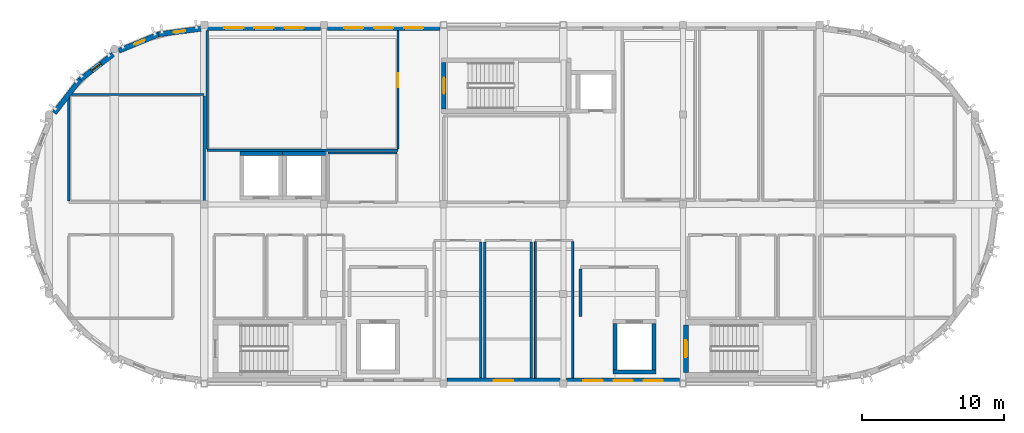
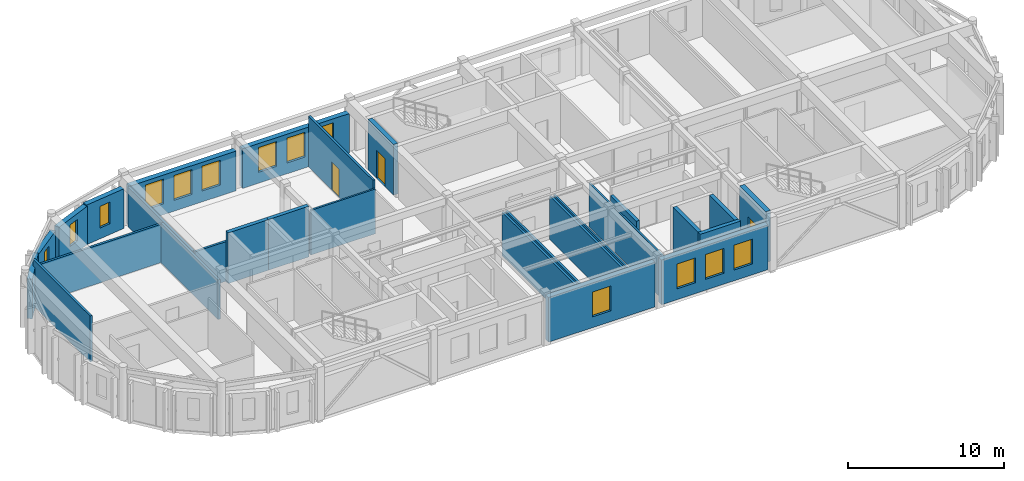
# One storey, part 4 of 11: 28 walls, 13 windows, 3 doors, 16 openings.
"""IFC4 building model written with IfcOpenShell, lengths in metres."""

from ifc_helpers import new_model, si_unit, direction, frame, frame_2d, origin, place, context, subcontext, project, spatial, rectangle, extrude, material, layer, layer_set, type_object, element, fill, save


model = new_model("IFC4")

# Units and contexts
model_context = context("Model", 3, precision=1e-05, world=origin(), true_north=direction((0.0, 1.0)))
body_context = subcontext(model_context, "Body", "Model", "MODEL_VIEW")
ifc_project = project(units=[si_unit("LENGTHUNIT", "METRE"), si_unit("AREAUNIT", "SQUARE_METRE"), si_unit("VOLUMEUNIT", "CUBIC_METRE"), si_unit("PLANEANGLEUNIT", "RADIAN"), si_unit("MASSUNIT", "GRAM", prefix="KILO")], contexts=[model_context])

# Site, building, storey
site_placement = place(None, origin())
site = spatial("IfcSite", under=ifc_project, at=site_placement, CompositionType="ELEMENT")
building_placement = place(site_placement, origin())
building = spatial("IfcBuilding", under=site, at=building_placement, Name="Tarnavel Promenade Courthouse", CompositionType="ELEMENT")
storey_placement = place(building_placement, frame((0.0, 0.0, 31.199951171875)))
storey = spatial("IfcBuildingStorey", under=building, at=storey_placement, Name="L08", CompositionType="ELEMENT", Elevation=31.199951171875)

# Walls
ifc_material_1 = material(Name="Acoustic Insulated Gypsum Stud Partition", Category="gypsum")
ifc_layer_1 = layer(ifc_material_1, 0.1650390625)
ifc_layer_set_1 = layer_set([ifc_layer_1], Name="Acoustic Insulated Gypsum Stud Partition")
wall_type_1 = type_object("IfcWallType", Name="Acoustic Insulated Gypsum Stud Partition WL-CHM-165 (165 mm)", PredefinedType="PARTITIONING", material=ifc_layer_set_1)
wall_1_placement = place(storey_placement, frame((72.39990234375, 95.60009765625, 0.0), z_axis=(0.0, 0.0, 1.0), x_axis=(-1.0, 0.0, 0.0)))
element("IfcWall", 1, at=wall_1_placement, inside=storey, type_object=wall_type_1, Name="L08 Chief Justice's Chambers Suite Partition 0944", PredefinedType="PARTITIONING", context=body_context, shape_type="SweptSolid", body=[
    extrude(rectangle(XDim=13.39990234375, YDim=0.1650390625, at=frame_2d((6.699951171875, 0.0))), origin(), (0.0, 0.0, 1.0), 3.110107421875),
])
wall_2_placement = place(storey_placement, frame((59.0, 95.6923828125, 0.0), z_axis=(0.0, 0.0, 1.0), x_axis=(0.0, 1.0, 0.0)))
element("IfcWall", 2, at=wall_2_placement, inside=storey, type_object=wall_type_1, Name="L08 Chief Justice's Chambers Suite Partition 0945", PredefinedType="PARTITIONING", context=body_context, shape_type="SweptSolid", body=[
    extrude(rectangle(XDim=8.3037109375, YDim=0.1650390625, at=frame_2d((4.15185546875, 0.0))), origin(), (0.0, 0.0, 1.0), 3.110107421875),
])

# Wall, opening, door
wall_3_placement = place(storey_placement, frame((72.39990234375, 103.99609375, 0.0), z_axis=(0.0, 0.0, 1.0), x_axis=(0.0, -1.0, 0.0)))
wall_3 = element("IfcWall", 3, at=wall_3_placement, inside=storey, type_object=wall_type_1, Name="L08 Chief Justice's Chambers Suite Partition 0946", PredefinedType="PARTITIONING", context=body_context, shape_type="SweptSolid", body=[
    extrude(rectangle(XDim=8.3037109375, YDim=0.1650390625, at=frame_2d((4.15185546875, 0.0))), origin(), (0.0, 0.0, 1.0), 3.965087890625),
])
opening_1_placement = place(wall_3_placement, frame((2.99951171875, 0.0, 0.0)))
opening_1 = element("IfcOpeningElement", 4, at=opening_1_placement, cuts=wall_3, Name="Opening ID-04", PredefinedType="OPENING", context=body_context, shape_type="SweptSolid", body=[
    extrude(rectangle(XDim=0.97998046875, YDim=2.199951171875, at=frame_2d((0.489990234375, 1.10009765625))), frame((0.0, 0.092529296875, 0.0), z_axis=(0.0, -1.0, 0.0), x_axis=(1.0, 0.0, 0.0)), (0.0, 0.0, 1.0), 0.18505859375),
])
ifc_material_2 = material(Name="Solid Oak Judges Chambers Door")
door_type_1 = type_object("IfcDoorType", Name="Solid Oak Judges Chambers Door (DR-CHM-0980x2200)", OperationType="NOTDEFINED", PredefinedType="DOOR", material=ifc_material_2)
door_1_placement = place(opening_1_placement, origin())
door_1 = element("IfcDoor", 5, at=door_1_placement, inside=storey, type_object=door_type_1, Name="L08 Chief Justice's Chambers Suite Door 0269", OperationType="SINGLE_SWING_LEFT", OverallHeight=2.199951171875, OverallWidth=0.97998046875, PredefinedType="DOOR", context=body_context, shape_type="SweptSolid", body=[
    extrude(rectangle(XDim=0.97998046875, YDim=2.199951171875, at=frame_2d((0.489990234375, 1.10009765625))), frame((0.0, 0.02490234375, 0.0), z_axis=(0.0, -1.0, 0.0), x_axis=(1.0, 0.0, 0.0)), (0.0, 0.0, 1.0), 0.050048828125),
])
fill(opening_1, door_1)

# Walls
for number, where, z_axis, x_axis, name in (
    (6, (78.2080078125, 89.16748046875, 0.0), (0.0, 0.0, 1.0), (0.0, -1.0, 0.0), "L08 Senior Magistracy Chambers West Partition 0966"),
    (7, (78.488037109375, 79.60400390625, 0.0), (0.0, 0.0, 1.0), (0.0, 1.0, 0.0), "L08 Senior Magistracy Chambers East Partition 0968"),
    (8, (81.756103515625, 89.16748046875, 0.0), (0.0, 0.0, 1.0), (0.0, -1.0, 0.0), "L08 Senior Magistracy Chambers East Partition 0969"),
):
    element("IfcWall", number, at=place(storey_placement, frame(where, z_axis=z_axis, x_axis=x_axis)), inside=storey, type_object=wall_type_1, Name=name, PredefinedType="PARTITIONING", context=body_context, shape_type="SweptSolid", body=[
        extrude(rectangle(XDim=9.5634765625, YDim=0.1650390625, at=frame_2d((4.78173828125, 0.0))), origin(), (0.0, 0.0, 1.0), 3.41015625),
    ])
wall_4_placement = place(storey_placement, frame((49.300048828125, 99.5, 0.0), z_axis=(0.0, 0.0, 1.0), x_axis=(1.0, 0.0, 0.0)))
element("IfcWall", 9, at=wall_4_placement, inside=storey, type_object=wall_type_1, Name="L08 L08 West Drum Rotunda Chambers North Partition 0973", PredefinedType="PARTITIONING", context=body_context, shape_type="SweptSolid", body=[
    extrude(rectangle(XDim=9.5, YDim=0.1650390625, at=frame_2d((4.75, 0.0))), origin(), (0.0, 0.0, 1.0), 3.010009765625),
])
wall_5_placement = place(storey_placement, frame((49.300048828125, 92.04248046875, 0.0), z_axis=(0.0, 0.0, 1.0), x_axis=(0.0, 1.0, 0.0)))
element("IfcWall", 10, at=wall_5_placement, inside=storey, type_object=wall_type_1, Name="L08 L08 West Drum Rotunda Chambers North Partition 0975", PredefinedType="PARTITIONING", context=body_context, shape_type="SweptSolid", body=[
    extrude(rectangle(XDim=7.364990234375, YDim=0.1650390625, at=frame_2d((3.6826171875, 0.0))), origin(), (0.0, 0.0, 1.0), 3.610107421875),
])
wall_6_placement = place(storey_placement, frame((58.800048828125, 99.407470703125, 0.0), z_axis=(0.0, 0.0, 1.0), x_axis=(0.0, -1.0, 0.0)))
element("IfcWall", 11, at=wall_6_placement, inside=storey, type_object=wall_type_1, Name="L08 L08 West Drum Rotunda Chambers North Partition 0976", PredefinedType="PARTITIONING", context=body_context, shape_type="SweptSolid", body=[
    extrude(rectangle(XDim=7.364990234375, YDim=0.1650390625, at=frame_2d((3.6826171875, 0.0))), origin(), (0.0, 0.0, 1.0), 3.110107421875),
])
ifc_material_3 = material(Name="Concrete C40/50", Category="concrete")
ifc_layer_2 = layer(ifc_material_3, 0.280029296875)
ifc_layer_set_2 = layer_set([ifc_layer_2], Name="Concrete C40/50")
wall_type_2 = type_object("IfcWallType", Name="Concrete C40/50 WL-SHR-280 (280 mm)", PredefinedType="SHEAR", material=ifc_layer_set_2)
wall_7_placement = place(storey_placement, frame((90.5, 80.0400390625, 0.0), z_axis=(0.0, 0.0, 1.0), x_axis=(-1.0, 0.0, 0.0)))
element("IfcWall", 12, at=wall_7_placement, inside=storey, type_object=wall_type_2, Name="L08 L-FF2 Lift Shaft South Wall", PredefinedType="SHEAR", context=body_context, shape_type="SweptSolid", body=[
    extrude(rectangle(XDim=3.0, YDim=0.280029296875, at=frame_2d((1.5, 0.0))), origin(), (0.0, 0.0, 1.0), 3.97998046875),
])
for number, where, z_axis, x_axis, name in (
    (13, (87.639892578125, 80.179931640625, 0.0), (0.0, 0.0, 1.0), (0.0, 1.0, 0.0), "L08 L-FF2 Lift Shaft West Wall"),
    (14, (90.360107421875, 83.419921875, 0.0), (0.0, 0.0, 1.0), (0.0, -1.0, 0.0), "L08 L-FF2 Lift Shaft East Wall"),
):
    element("IfcWall", number, at=place(storey_placement, frame(where, z_axis=z_axis, x_axis=x_axis)), inside=storey, type_object=wall_type_2, Name=name, PredefinedType="SHEAR", context=body_context, shape_type="SweptSolid", body=[
        extrude(rectangle(XDim=3.239990234375, YDim=0.280029296875, at=frame_2d((1.6201171875, 0.0))), origin(), (0.0, 0.0, 1.0), 3.97998046875),
    ])
for number, where, z_axis, x_axis, name in (
    (15, (61.300048828125, 95.360107421875, 0.0), (0.0, 0.0, 1.0), (1.0, 0.0, 0.0), "L08 L-PUB1 Lift Shaft North Wall"),
    (16, (64.300048828125, 95.360107421875, 0.0), (0.0, 0.0, 1.0), (1.0, 0.0, 0.0), "L08 L-PUB2 Lift Shaft North Wall"),
):
    element("IfcWall", number, at=place(storey_placement, frame(where, z_axis=z_axis, x_axis=x_axis)), inside=storey, type_object=wall_type_2, Name=name, PredefinedType="SHEAR", context=body_context, shape_type="SweptSolid", body=[
        extrude(rectangle(XDim=3.0, YDim=0.280029296875, at=frame_2d((1.5, 0.0))), origin(), (0.0, 0.0, 1.0), 3.97998046875),
    ])

# Wall, opening, door
ifc_layer_3 = layer(ifc_material_3, 0.320068359375)
ifc_layer_set_3 = layer_set([ifc_layer_3], Name="Concrete C40/50")
wall_type_3 = type_object("IfcWallType", Name="Concrete C40/50 WL-SHR-320 (320 mm)", PredefinedType="SHEAR", material=ifc_layer_set_3)
wall_8_placement = place(storey_placement, frame((75.6201171875, 98.47998046875, 0.0), z_axis=(0.0, 0.0, 1.0), x_axis=(0.0, 1.0, 0.0)))
wall_8 = element("IfcWall", 17, at=wall_8_placement, inside=storey, type_object=wall_type_3, Name="L08 ST-03 Shear Core West Landing Wall", PredefinedType="SHEAR", context=body_context, shape_type="SweptSolid", body=[
    extrude(rectangle(XDim=3.280029296875, YDim=0.320068359375, at=frame_2d((1.64013671875, 0.0))), origin(), (0.0, 0.0, 1.0), 3.97998046875),
])
opening_2_placement = place(wall_8_placement, frame((1.06494140625, 0.0, 0.0)))
opening_2 = element("IfcOpeningElement", 18, at=opening_2_placement, cuts=wall_8, Name="Opening FD-01", PredefinedType="OPENING", context=body_context, shape_type="SweptSolid", body=[
    extrude(rectangle(XDim=1.14990234375, YDim=2.199951171875, at=frame_2d((0.574951171875, 1.10009765625))), frame((0.0, 0.169921875, 0.0), z_axis=(0.0, -1.0, 0.0), x_axis=(1.0, 0.0, 0.0)), (0.0, 0.0, 1.0), 0.340087890625),
])
ifc_material_4 = material(Name="Steel Fire-Rated Stair Core Door", Category="steel")
door_type_2 = type_object("IfcDoorType", Name="Steel Fire-Rated Stair Core Door (DR-ST-1150x2200)", OperationType="NOTDEFINED", PredefinedType="DOOR", material=ifc_material_4)
door_2_placement = place(opening_2_placement, origin())
door_2 = element("IfcDoor", 19, at=door_2_placement, inside=storey, type_object=door_type_2, Name="L08 ST-03 Protected Exit Stair Door", OperationType="SINGLE_SWING_RIGHT", OverallHeight=2.199951171875, OverallWidth=1.14990234375, PredefinedType="DOOR", context=body_context, shape_type="SweptSolid", body=[
    extrude(rectangle(XDim=1.14990234375, YDim=2.199951171875, at=frame_2d((0.574951171875, 1.10009765625))), frame((0.0, 0.02490234375, 0.0), z_axis=(0.0, -1.0, 0.0), x_axis=(1.0, 0.0, 0.0)), (0.0, 0.0, 1.0), 0.050048828125),
])
fill(opening_2, door_2)

ifc_layer_4 = layer(ifc_material_3, 0.360107421875)
ifc_layer_set_4 = layer_set([ifc_layer_4], Name="Concrete C40/50")
wall_type_4 = type_object("IfcWallType", Name="Concrete C40/50 WL-SHR-360 (360 mm)", PredefinedType="SHEAR", material=ifc_layer_set_4)
wall_9_placement = place(storey_placement, frame((92.60009765625, 79.97998046875, 0.0), z_axis=(0.0, 0.0, 1.0), x_axis=(0.0, 1.0, 0.0)))
wall_9 = element("IfcWall", 20, at=wall_9_placement, inside=storey, type_object=wall_type_4, Name="L08 ST-02 Shear Core West Landing Wall", PredefinedType="SHEAR", context=body_context, shape_type="SweptSolid", body=[
    extrude(rectangle(XDim=3.360107421875, YDim=0.360107421875, at=frame_2d((1.68017578125, 0.0))), origin(), (0.0, 0.0, 1.0), 3.97998046875),
])
opening_3_placement = place(wall_9_placement, frame((1.080078125, 0.0, 0.0)))
opening_3 = element("IfcOpeningElement", 21, at=opening_3_placement, cuts=wall_9, Name="Opening FD-02", PredefinedType="OPENING", context=body_context, shape_type="SweptSolid", body=[
    extrude(rectangle(XDim=1.199951171875, YDim=2.199951171875, at=frame_2d((0.60009765625, 1.10009765625))), frame((0.0, 0.18994140625, 0.0), z_axis=(0.0, -1.0, 0.0), x_axis=(1.0, 0.0, 0.0)), (0.0, 0.0, 1.0), 0.380126953125),
])
ifc_material_5 = material(Name="Steel Fire-Rated Firefighting Stair Door", Category="steel")
door_type_3 = type_object("IfcDoorType", Name="Steel Fire-Rated Firefighting Stair Door (DR-ST-1200x2200)", OperationType="NOTDEFINED", PredefinedType="DOOR", material=ifc_material_5)
door_3_placement = place(opening_3_placement, origin())
door_3 = element("IfcDoor", 22, at=door_3_placement, inside=storey, type_object=door_type_3, Name="L08 ST-02 Protected Exit Stair Door", OperationType="SINGLE_SWING_RIGHT", OverallHeight=2.199951171875, OverallWidth=1.199951171875, PredefinedType="DOOR", context=body_context, shape_type="SweptSolid", body=[
    extrude(rectangle(XDim=1.199951171875, YDim=2.199951171875, at=frame_2d((0.60009765625, 1.10009765625))), frame((0.0, 0.02490234375, 0.0), z_axis=(0.0, -1.0, 0.0), x_axis=(1.0, 0.0, 0.0)), (0.0, 0.0, 1.0), 0.050048828125),
])
fill(opening_3, door_3)

# Wall
ifc_material_6 = material(Name="Concrete Masonry Fire Compartment Wall", Category="masonry")
ifc_layer_5 = layer(ifc_material_6, 0.22998046875)
ifc_layer_set_5 = layer_set([ifc_layer_5], Name="Concrete Masonry Fire Compartment Wall")
wall_type_5 = type_object("IfcWallType", Name="Concrete Masonry Fire Compartment Wall WL-CMP-230 (230 mm)", PredefinedType="STANDARD", material=ifc_layer_set_5)
wall_10_placement = place(storey_placement, frame((85.199951171875, 83.925048828125, 0.0), z_axis=(0.0, 0.0, 1.0), x_axis=(0.0, 1.0, 0.0)))
element("IfcWall", 23, at=wall_10_placement, inside=storey, type_object=wall_type_5, Name="L08 Firefighting Lobby L-FF2 Partition 0918", PredefinedType="STANDARD", context=body_context, shape_type="SweptSolid", body=[
    extrude(rectangle(XDim=3.349853515625, YDim=0.22998046875, at=frame_2d((1.6748046875, 0.0))), origin(), (0.0, 0.0, 1.0), 3.41015625),
])

# Wall, openings, windows
ifc_material_7 = material(Name="Cream Brick Insulated Cavity Facade Assembly", Category="masonry")
ifc_layer_6 = layer(ifc_material_7, 0.3798828125)
ifc_layer_set_6 = layer_set([ifc_layer_6], Name="Cream Brick Insulated Cavity Facade Assembly")
wall_type_6 = type_object("IfcWallType", Name="Cream Brick Insulated Cavity Facade Assembly WL-EXT-380 (380 mm)", PredefinedType="STANDARD", material=ifc_layer_set_6)
wall_11_placement = place(storey_placement, frame((59.037109375, 104.179931640625, 0.0), z_axis=(0.0, 0.0, 1.0), x_axis=(1.0, 0.0, 0.0)))
wall_11 = element("IfcWall", 24, at=wall_11_placement, inside=storey, type_object=wall_type_6, Name="L08 Bar North Limestone Facade 0204", PredefinedType="STANDARD", context=body_context, shape_type="SweptSolid", body=[
    extrude(rectangle(XDim=7.9208984375, YDim=0.3798828125, at=frame_2d((3.96044921875, 0.0))), origin(), (0.0, 0.0, 1.0), 3.110107421875),
])
opening_4_placement = place(wall_11_placement, frame((1.1748046875, 0.0, 0.85009765625)))
opening_4 = element("IfcOpeningElement", 25, at=opening_4_placement, cuts=wall_11, Name="Opening W-04", PredefinedType="OPENING", context=body_context, shape_type="SweptSolid", body=[
    extrude(rectangle(XDim=1.35009765625, YDim=1.949951171875, at=frame_2d((0.675048828125, 0.97509765625))), frame((0.0, 0.199951171875, 0.0), z_axis=(0.0, -1.0, 0.0), x_axis=(1.0, 0.0, 0.0)), (0.0, 0.0, 1.0), 0.39990234375),
])
opening_5_placement = place(wall_11_placement, frame((3.2880859375, 0.0, 0.85009765625)))
opening_5 = element("IfcOpeningElement", 26, at=opening_5_placement, cuts=wall_11, Name="Opening W-04", PredefinedType="OPENING", context=body_context, shape_type="SweptSolid", body=[
    extrude(rectangle(XDim=1.35009765625, YDim=1.949951171875, at=frame_2d((0.675048828125, 0.97509765625))), frame((0.0, 0.199951171875, 0.0), z_axis=(0.0, -1.0, 0.0), x_axis=(1.0, 0.0, 0.0)), (0.0, 0.0, 1.0), 0.39990234375),
])
opening_6_placement = place(wall_11_placement, frame((5.4013671875, 0.0, 0.85009765625)))
opening_6 = element("IfcOpeningElement", 27, at=opening_6_placement, cuts=wall_11, Name="Opening W-04", PredefinedType="OPENING", context=body_context, shape_type="SweptSolid", body=[
    extrude(rectangle(XDim=1.35009765625, YDim=1.949951171875, at=frame_2d((0.675048828125, 0.97509765625))), frame((0.0, 0.199951171875, 0.0), z_axis=(0.0, -1.0, 0.0), x_axis=(1.0, 0.0, 0.0)), (0.0, 0.0, 1.0), 0.39990234375),
])
ifc_material_8 = material(Name="Triple Low-E Glazed Bronze-Clad Window Assembly")
window_type_1 = type_object("IfcWindowType", Name="Triple-Glazed Bronze-Clad Timber-Aluminium WIN-CHM-1350x1950", PartitioningType="SINGLE_PANEL", PredefinedType="WINDOW", material=ifc_material_8)
window_1_placement = place(opening_4_placement, origin())
window_1 = element("IfcWindow", 28, at=window_1_placement, inside=storey, type_object=window_type_1, Name="L08 Exterior Window 0166", OverallHeight=1.949951171875, OverallWidth=1.35009765625, PartitioningType="SINGLE_PANEL", PredefinedType="WINDOW", context=body_context, shape_type="SweptSolid", body=[
    extrude(rectangle(XDim=1.35009765625, YDim=1.949951171875, at=frame_2d((0.675048828125, 0.97509765625))), frame((0.0, 0.030029296875, 0.0), z_axis=(0.0, -1.0, 0.0), x_axis=(1.0, 0.0, 0.0)), (0.0, 0.0, 1.0), 0.06005859375),
])
fill(opening_4, window_1)
window_2_placement = place(opening_5_placement, origin())
window_2 = element("IfcWindow", 29, at=window_2_placement, inside=storey, type_object=window_type_1, Name="L08 Exterior Window 0167", OverallHeight=1.949951171875, OverallWidth=1.35009765625, PartitioningType="SINGLE_PANEL", PredefinedType="WINDOW", context=body_context, shape_type="SweptSolid", body=[
    extrude(rectangle(XDim=1.35009765625, YDim=1.949951171875, at=frame_2d((0.675048828125, 0.97509765625))), frame((0.0, 0.030029296875, 0.0), z_axis=(0.0, -1.0, 0.0), x_axis=(1.0, 0.0, 0.0)), (0.0, 0.0, 1.0), 0.06005859375),
])
fill(opening_5, window_2)
window_3_placement = place(opening_6_placement, origin())
window_3 = element("IfcWindow", 30, at=window_3_placement, inside=storey, type_object=window_type_1, Name="L08 Exterior Window 0168", OverallHeight=1.949951171875, OverallWidth=1.35009765625, PartitioningType="SINGLE_PANEL", PredefinedType="WINDOW", context=body_context, shape_type="SweptSolid", body=[
    extrude(rectangle(XDim=1.35009765625, YDim=1.949951171875, at=frame_2d((0.675048828125, 0.97509765625))), frame((0.0, 0.030029296875, 0.0), z_axis=(0.0, -1.0, 0.0), x_axis=(1.0, 0.0, 0.0)), (0.0, 0.0, 1.0), 0.06005859375),
])
fill(opening_6, window_3)

wall_12_placement = place(storey_placement, frame((67.44189453125, 104.179931640625, 0.0), z_axis=(0.0, 0.0, 1.0), x_axis=(1.0, 0.0, 0.0)))
wall_12 = element("IfcWall", 31, at=wall_12_placement, inside=storey, type_object=wall_type_6, Name="L08 Bar North Limestone Facade 0205", PredefinedType="STANDARD", context=body_context, shape_type="SweptSolid", body=[
    extrude(rectangle(XDim=7.916015625, YDim=0.3798828125, at=frame_2d((3.9580078125, 0.0))), origin(), (0.0, 0.0, 1.0), 3.110107421875),
])
opening_7_placement = place(wall_12_placement, frame((1.169677734375, 0.0, 0.85009765625)))
opening_7 = element("IfcOpeningElement", 32, at=opening_7_placement, cuts=wall_12, Name="Opening W-04", PredefinedType="OPENING", context=body_context, shape_type="SweptSolid", body=[
    extrude(rectangle(XDim=1.35009765625, YDim=1.949951171875, at=frame_2d((0.675048828125, 0.97509765625))), frame((0.0, 0.199951171875, 0.0), z_axis=(0.0, -1.0, 0.0), x_axis=(1.0, 0.0, 0.0)), (0.0, 0.0, 1.0), 0.39990234375),
])
opening_8_placement = place(wall_12_placement, frame((3.282958984375, 0.0, 0.85009765625)))
opening_8 = element("IfcOpeningElement", 33, at=opening_8_placement, cuts=wall_12, Name="Opening W-04", PredefinedType="OPENING", context=body_context, shape_type="SweptSolid", body=[
    extrude(rectangle(XDim=1.35009765625, YDim=1.949951171875, at=frame_2d((0.675048828125, 0.97509765625))), frame((0.0, 0.199951171875, 0.0), z_axis=(0.0, -1.0, 0.0), x_axis=(1.0, 0.0, 0.0)), (0.0, 0.0, 1.0), 0.39990234375),
])
opening_9_placement = place(wall_12_placement, frame((5.396240234375, 0.0, 0.85009765625)))
opening_9 = element("IfcOpeningElement", 34, at=opening_9_placement, cuts=wall_12, Name="Opening W-04", PredefinedType="OPENING", context=body_context, shape_type="SweptSolid", body=[
    extrude(rectangle(XDim=1.35009765625, YDim=1.949951171875, at=frame_2d((0.675048828125, 0.97509765625))), frame((0.0, 0.199951171875, 0.0), z_axis=(0.0, -1.0, 0.0), x_axis=(1.0, 0.0, 0.0)), (0.0, 0.0, 1.0), 0.39990234375),
])
window_4_placement = place(opening_7_placement, origin())
window_4 = element("IfcWindow", 35, at=window_4_placement, inside=storey, type_object=window_type_1, Name="L08 Exterior Window 0169", OverallHeight=1.949951171875, OverallWidth=1.35009765625, PartitioningType="SINGLE_PANEL", PredefinedType="WINDOW", context=body_context, shape_type="SweptSolid", body=[
    extrude(rectangle(XDim=1.35009765625, YDim=1.949951171875, at=frame_2d((0.675048828125, 0.97509765625))), frame((0.0, 0.030029296875, 0.0), z_axis=(0.0, -1.0, 0.0), x_axis=(1.0, 0.0, 0.0)), (0.0, 0.0, 1.0), 0.06005859375),
])
fill(opening_7, window_4)
window_5_placement = place(opening_8_placement, origin())
window_5 = element("IfcWindow", 36, at=window_5_placement, inside=storey, type_object=window_type_1, Name="L08 Exterior Window 0170", OverallHeight=1.949951171875, OverallWidth=1.35009765625, PartitioningType="SINGLE_PANEL", PredefinedType="WINDOW", context=body_context, shape_type="SweptSolid", body=[
    extrude(rectangle(XDim=1.35009765625, YDim=1.949951171875, at=frame_2d((0.675048828125, 0.97509765625))), frame((0.0, 0.030029296875, 0.0), z_axis=(0.0, -1.0, 0.0), x_axis=(1.0, 0.0, 0.0)), (0.0, 0.0, 1.0), 0.06005859375),
])
fill(opening_8, window_5)
window_6_placement = place(opening_9_placement, origin())
window_6 = element("IfcWindow", 37, at=window_6_placement, inside=storey, type_object=window_type_1, Name="L08 Exterior Window 0171", OverallHeight=1.949951171875, OverallWidth=1.35009765625, PartitioningType="SINGLE_PANEL", PredefinedType="WINDOW", context=body_context, shape_type="SweptSolid", body=[
    extrude(rectangle(XDim=1.35009765625, YDim=1.949951171875, at=frame_2d((0.675048828125, 0.97509765625))), frame((0.0, 0.030029296875, 0.0), z_axis=(0.0, -1.0, 0.0), x_axis=(1.0, 0.0, 0.0)), (0.0, 0.0, 1.0), 0.06005859375),
])
fill(opening_9, window_6)

# Wall, opening, window
wall_13_placement = place(storey_placement, frame((83.758056640625, 79.419921875, 0.0), z_axis=(0.0, 0.0, 1.0), x_axis=(-1.0, 0.0, 0.0)))
wall_13 = element("IfcWall", 38, at=wall_13_placement, inside=storey, type_object=wall_type_6, Name="L08 Bar South Limestone Facade 0211", PredefinedType="STANDARD", context=body_context, shape_type="SweptSolid", body=[
    extrude(rectangle(XDim=7.916015625, YDim=0.3798828125, at=frame_2d((3.9580078125, 0.0))), origin(), (0.0, 0.0, 1.0), 3.510009765625),
])
opening_10_placement = place(wall_13_placement, frame((3.282958984375, 0.0, 0.85009765625)))
opening_10 = element("IfcOpeningElement", 39, at=opening_10_placement, cuts=wall_13, Name="Opening W-04", PredefinedType="OPENING", context=body_context, shape_type="SweptSolid", body=[
    extrude(rectangle(XDim=1.35009765625, YDim=1.949951171875, at=frame_2d((0.675048828125, 0.97509765625))), frame((0.0, 0.199951171875, 0.0), z_axis=(0.0, -1.0, 0.0), x_axis=(1.0, 0.0, 0.0)), (0.0, 0.0, 1.0), 0.39990234375),
])
window_7_placement = place(opening_10_placement, origin())
window_7 = element("IfcWindow", 40, at=window_7_placement, inside=storey, type_object=window_type_1, Name="L08 Exterior Window 0179", OverallHeight=1.949951171875, OverallWidth=1.35009765625, PartitioningType="SINGLE_PANEL", PredefinedType="WINDOW", context=body_context, shape_type="SweptSolid", body=[
    extrude(rectangle(XDim=1.35009765625, YDim=1.949951171875, at=frame_2d((0.675048828125, 0.97509765625))), frame((0.0, 0.030029296875, 0.0), z_axis=(0.0, -1.0, 0.0), x_axis=(1.0, 0.0, 0.0)), (0.0, 0.0, 1.0), 0.06005859375),
])
fill(opening_10, window_7)

# Wall, openings, windows
wall_14_placement = place(storey_placement, frame((92.157958984375, 79.419921875, 0.0), z_axis=(0.0, 0.0, 1.0), x_axis=(-1.0, 0.0, 0.0)))
wall_14 = element("IfcWall", 41, at=wall_14_placement, inside=storey, type_object=wall_type_6, Name="L08 Bar South Limestone Facade 0212", PredefinedType="STANDARD", context=body_context, shape_type="SweptSolid", body=[
    extrude(rectangle(XDim=7.916015625, YDim=0.3798828125, at=frame_2d((3.9580078125, 0.0))), origin(), (0.0, 0.0, 1.0), 3.510009765625),
])
opening_11_placement = place(wall_14_placement, frame((1.169677734375, 0.0, 0.85009765625)))
opening_11 = element("IfcOpeningElement", 42, at=opening_11_placement, cuts=wall_14, Name="Opening W-04", PredefinedType="OPENING", context=body_context, shape_type="SweptSolid", body=[
    extrude(rectangle(XDim=1.35009765625, YDim=1.949951171875, at=frame_2d((0.675048828125, 0.97509765625))), frame((0.0, 0.199951171875, 0.0), z_axis=(0.0, -1.0, 0.0), x_axis=(1.0, 0.0, 0.0)), (0.0, 0.0, 1.0), 0.39990234375),
])
opening_12_placement = place(wall_14_placement, frame((3.282958984375, 0.0, 0.85009765625)))
opening_12 = element("IfcOpeningElement", 43, at=opening_12_placement, cuts=wall_14, Name="Opening W-04", PredefinedType="OPENING", context=body_context, shape_type="SweptSolid", body=[
    extrude(rectangle(XDim=1.35009765625, YDim=1.949951171875, at=frame_2d((0.675048828125, 0.97509765625))), frame((0.0, 0.199951171875, 0.0), z_axis=(0.0, -1.0, 0.0), x_axis=(1.0, 0.0, 0.0)), (0.0, 0.0, 1.0), 0.39990234375),
])
opening_13_placement = place(wall_14_placement, frame((5.396240234375, 0.0, 0.85009765625)))
opening_13 = element("IfcOpeningElement", 44, at=opening_13_placement, cuts=wall_14, Name="Opening W-04", PredefinedType="OPENING", context=body_context, shape_type="SweptSolid", body=[
    extrude(rectangle(XDim=1.35009765625, YDim=1.949951171875, at=frame_2d((0.675048828125, 0.97509765625))), frame((0.0, 0.199951171875, 0.0), z_axis=(0.0, -1.0, 0.0), x_axis=(1.0, 0.0, 0.0)), (0.0, 0.0, 1.0), 0.39990234375),
])
window_8_placement = place(opening_11_placement, origin())
window_8 = element("IfcWindow", 45, at=window_8_placement, inside=storey, type_object=window_type_1, Name="L08 Exterior Window 0180", OverallHeight=1.949951171875, OverallWidth=1.35009765625, PartitioningType="SINGLE_PANEL", PredefinedType="WINDOW", context=body_context, shape_type="SweptSolid", body=[
    extrude(rectangle(XDim=1.35009765625, YDim=1.949951171875, at=frame_2d((0.675048828125, 0.97509765625))), frame((0.0, 0.030029296875, 0.0), z_axis=(0.0, -1.0, 0.0), x_axis=(1.0, 0.0, 0.0)), (0.0, 0.0, 1.0), 0.06005859375),
])
fill(opening_11, window_8)
window_9_placement = place(opening_12_placement, origin())
window_9 = element("IfcWindow", 46, at=window_9_placement, inside=storey, type_object=window_type_1, Name="L08 Exterior Window 0181", OverallHeight=1.949951171875, OverallWidth=1.35009765625, PartitioningType="SINGLE_PANEL", PredefinedType="WINDOW", context=body_context, shape_type="SweptSolid", body=[
    extrude(rectangle(XDim=1.35009765625, YDim=1.949951171875, at=frame_2d((0.675048828125, 0.97509765625))), frame((0.0, 0.030029296875, 0.0), z_axis=(0.0, -1.0, 0.0), x_axis=(1.0, 0.0, 0.0)), (0.0, 0.0, 1.0), 0.06005859375),
])
fill(opening_12, window_9)
window_10_placement = place(opening_13_placement, origin())
window_10 = element("IfcWindow", 47, at=window_10_placement, inside=storey, type_object=window_type_1, Name="L08 Exterior Window 0182", OverallHeight=1.949951171875, OverallWidth=1.35009765625, PartitioningType="SINGLE_PANEL", PredefinedType="WINDOW", context=body_context, shape_type="SweptSolid", body=[
    extrude(rectangle(XDim=1.35009765625, YDim=1.949951171875, at=frame_2d((0.675048828125, 0.97509765625))), frame((0.0, 0.030029296875, 0.0), z_axis=(0.0, -1.0, 0.0), x_axis=(1.0, 0.0, 0.0)), (0.0, 0.0, 1.0), 0.06005859375),
])
fill(opening_13, window_10)

# Walls
ifc_material_9 = material(Name="Metal-Stud Acoustic Gypsum Partition", Category="gypsum")
ifc_layer_7 = layer(ifc_material_9, 0.135009765625)
ifc_layer_set_7 = layer_set([ifc_layer_7], Name="Metal-Stud Acoustic Gypsum Partition")
wall_type_7 = type_object("IfcWallType", Name="Metal-Stud Acoustic Gypsum Partition WL-OFF-135 (135 mm)", PredefinedType="PARTITIONING", material=ifc_layer_set_7)
wall_15_placement = place(storey_placement, frame((67.5, 95.39990234375, 0.0), z_axis=(0.0, 0.0, 1.0), x_axis=(1.0, 0.0, 0.0)))
element("IfcWall", 48, at=wall_15_placement, inside=storey, type_object=wall_type_7, Name="L08 L08 Judicial Case Clerks' Room Partition 0947", PredefinedType="PARTITIONING", context=body_context, shape_type="SweptSolid", body=[
    extrude(rectangle(XDim=4.800048828125, YDim=0.135009765625, at=frame_2d((2.39990234375, 0.0))), origin(), (0.0, 0.0, 1.0), 3.510009765625),
])
for number, where, z_axis, x_axis, name in (
    (49, (82.035888671875, 79.60400390625, 0.0), (0.0, 0.0, 1.0), (0.0, 1.0, 0.0), "L08 Mongolian Legal Translation Bureau Partition 0971"),
    (50, (84.659912109375, 89.1826171875, 0.0), (0.0, 0.0, 1.0), (0.0, -1.0, 0.0), "L08 Mongolian Legal Translation Bureau Partition 0972"),
):
    element("IfcWall", number, at=place(storey_placement, frame(where, z_axis=z_axis, x_axis=x_axis)), inside=storey, type_object=wall_type_7, Name=name, PredefinedType="PARTITIONING", context=body_context, shape_type="SweptSolid", body=[
        extrude(rectangle(XDim=9.57861328125, YDim=0.135009765625, at=frame_2d((4.789306640625, 0.0))), origin(), (0.0, 0.0, 1.0), 3.41015625),
    ])

# Wall, opening, window
ifc_material_10 = material(Name="Patinated Copper-Bronze Insulated Drum Wall Assembly", Category="masonry")
ifc_layer_8 = layer(ifc_material_10, 0.364990234375)
ifc_layer_set_8 = layer_set([ifc_layer_8], Name="Patinated Copper-Bronze Insulated Drum Wall Assembly")
wall_type_8 = type_object("IfcWallType", Name="Patinated Copper-Bronze Insulated Drum Wall Assembly WL-DRUM-365 (365 mm)", PredefinedType="ELEMENTEDWALL", material=ifc_layer_set_8)
wall_16_placement = place(storey_placement, frame((58.57275390625, 104.117919921875, 0.0), z_axis=(0.0, 0.0, 1.0), x_axis=(-0.991449079029, -0.130494151946, 0.0)))
wall_16 = element("IfcWall", 51, at=wall_16_placement, inside=storey, type_object=wall_type_8, Name="L08 W Copper Drum Chord Wall 01 0214", PredefinedType="ELEMENTEDWALL", context=body_context, shape_type="SweptSolid", body=[
    extrude(rectangle(XDim=3.027099609375, YDim=0.364990234375, at=frame_2d((1.513671875, 0.0))), origin(), (0.0, 0.0, 1.0), 3.110107421875),
])
opening_14_placement = place(wall_16_placement, frame((1.127685546875, 0.0, 0.85009765625)))
opening_14 = element("IfcOpeningElement", 52, at=opening_14_placement, cuts=wall_16, Name="Opening W-09", PredefinedType="OPENING", context=body_context, shape_type="SweptSolid", body=[
    extrude(rectangle(XDim=0.800048828125, YDim=1.699951171875, at=frame_2d((0.39990234375, 0.85009765625))), frame((0.0, 0.1923828125, 0.0), z_axis=(0.0, -1.0, 0.0), x_axis=(1.0, 0.0, 0.0)), (0.0, 0.0, 1.0), 0.385009765625),
])
window_type_2 = type_object("IfcWindowType", Name="Triple-Glazed Bronze-Clad Timber-Aluminium WIN-DRM-0800x1700", PartitioningType="SINGLE_PANEL", PredefinedType="WINDOW", material=ifc_material_8)
window_11_placement = place(opening_14_placement, origin())
window_11 = element("IfcWindow", 53, at=window_11_placement, inside=storey, type_object=window_type_2, Name="L08 Exterior Window 0183", OverallHeight=1.699951171875, OverallWidth=0.800048828125, PartitioningType="SINGLE_PANEL", PredefinedType="WINDOW", context=body_context, shape_type="SweptSolid", body=[
    extrude(rectangle(XDim=0.800048828125, YDim=1.699951171875, at=frame_2d((0.39990234375, 0.85009765625))), frame((0.0, 0.030029296875, 0.0), z_axis=(0.0, -1.0, 0.0), x_axis=(1.0, 0.0, 0.0)), (0.0, 0.0, 1.0), 0.06005859375),
])
fill(opening_14, window_11)

wall_17_placement = place(storey_placement, frame((55.634521484375, 103.73974609375, 0.0), z_axis=(0.0, 0.0, 1.0), x_axis=(-0.923876904284, -0.382689777405, 0.0)))
wall_17 = element("IfcWall", 54, at=wall_17_placement, inside=storey, type_object=wall_type_8, Name="L08 W Copper Drum Chord Wall 02 0215", PredefinedType="ELEMENTEDWALL", context=body_context, shape_type="SweptSolid", body=[
    extrude(rectangle(XDim=3.062255859375, YDim=0.364990234375, at=frame_2d((1.53125, 0.0))), origin(), (0.0, 0.0, 1.0), 3.010009765625),
])
opening_15_placement = place(wall_17_placement, frame((1.087158203125, 0.0, 0.85009765625)))
opening_15 = element("IfcOpeningElement", 55, at=opening_15_placement, cuts=wall_17, Name="Opening W-09", PredefinedType="OPENING", context=body_context, shape_type="SweptSolid", body=[
    extrude(rectangle(XDim=0.800048828125, YDim=1.699951171875, at=frame_2d((0.39990234375, 0.85009765625))), frame((0.0, 0.1923828125, 0.0), z_axis=(0.0, -1.0, 0.0), x_axis=(1.0, 0.0, 0.0)), (0.0, 0.0, 1.0), 0.385009765625),
])
window_12_placement = place(opening_15_placement, origin())
window_12 = element("IfcWindow", 56, at=window_12_placement, inside=storey, type_object=window_type_2, Name="L08 Exterior Window 0184", OverallHeight=1.699951171875, OverallWidth=0.800048828125, PartitioningType="SINGLE_PANEL", PredefinedType="WINDOW", context=body_context, shape_type="SweptSolid", body=[
    extrude(rectangle(XDim=0.800048828125, YDim=1.699951171875, at=frame_2d((0.39990234375, 0.85009765625))), frame((0.0, 0.030029296875, 0.0), z_axis=(0.0, -1.0, 0.0), x_axis=(1.0, 0.0, 0.0)), (0.0, 0.0, 1.0), 0.06005859375),
])
fill(opening_15, window_12)

wall_18_placement = place(storey_placement, frame((52.40234375, 102.32177734375, 0.0), z_axis=(0.0, 0.0, 1.0), x_axis=(-0.793361877219, -0.608750303306, 0.0)))
wall_18 = element("IfcWall", 57, at=wall_18_placement, inside=storey, type_object=wall_type_8, Name="L08 W Copper Drum Chord Wall 03 0216", PredefinedType="ELEMENTEDWALL", context=body_context, shape_type="SweptSolid", body=[
    extrude(rectangle(XDim=2.97412109375, YDim=0.364990234375, at=frame_2d((1.487060546875, 0.0))), origin(), (0.0, 0.0, 1.0), 3.010009765625),
])
opening_16_placement = place(wall_18_placement, frame((1.087158203125, 0.0, 0.85009765625)))
opening_16 = element("IfcOpeningElement", 58, at=opening_16_placement, cuts=wall_18, Name="Opening W-09", PredefinedType="OPENING", context=body_context, shape_type="SweptSolid", body=[
    extrude(rectangle(XDim=0.800048828125, YDim=1.699951171875, at=frame_2d((0.39990234375, 0.85009765625))), frame((0.0, 0.1923828125, 0.0), z_axis=(0.0, -1.0, 0.0), x_axis=(1.0, 0.0, 0.0)), (0.0, 0.0, 1.0), 0.385009765625),
])
window_13_placement = place(opening_16_placement, origin())
window_13 = element("IfcWindow", 59, at=window_13_placement, inside=storey, type_object=window_type_2, Name="L08 Exterior Window 0185", OverallHeight=1.699951171875, OverallWidth=0.800048828125, PartitioningType="SINGLE_PANEL", PredefinedType="WINDOW", context=body_context, shape_type="SweptSolid", body=[
    extrude(rectangle(XDim=0.800048828125, YDim=1.699951171875, at=frame_2d((0.39990234375, 0.85009765625))), frame((0.0, 0.030029296875, 0.0), z_axis=(0.0, -1.0, 0.0), x_axis=(1.0, 0.0, 0.0)), (0.0, 0.0, 1.0), 0.06005859375),
])
fill(opening_16, window_13)

# Wall
wall_19_placement = place(storey_placement, frame((50.0888671875, 100.557373046875, 0.0), z_axis=(0.0, 0.0, 1.0), x_axis=(-0.608750303306, -0.793361877219, 0.0)))
element("IfcWall", 60, at=wall_19_placement, inside=storey, type_object=wall_type_8, Name="L08 W Copper Drum Chord Wall 04 0217", PredefinedType="ELEMENTEDWALL", context=body_context, shape_type="SweptSolid", body=[
    extrude(rectangle(XDim=2.97412109375, YDim=0.364990234375, at=frame_2d((1.487060546875, 0.0))), origin(), (0.0, 0.0, 1.0), 3.110107421875),
])

save(model, "model.ifc")
